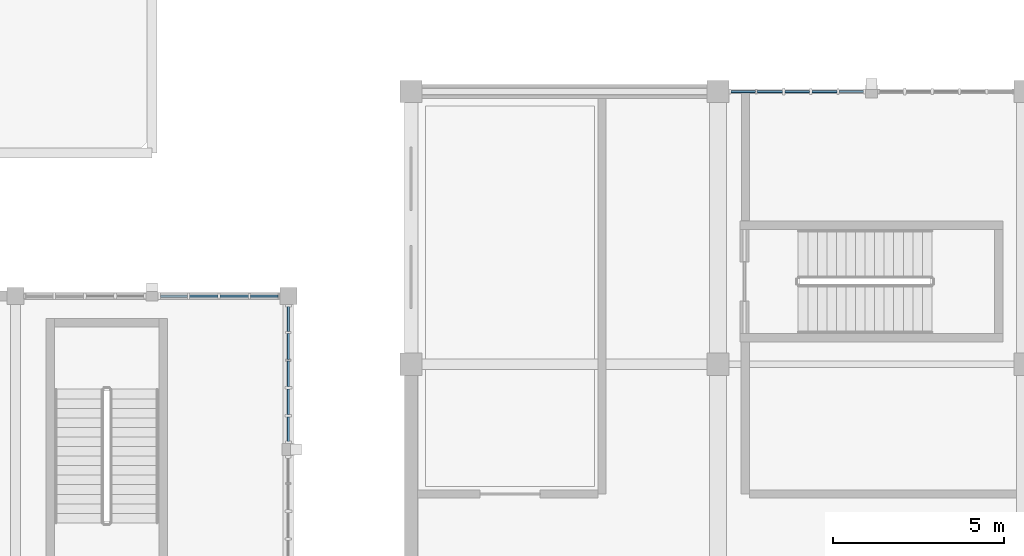
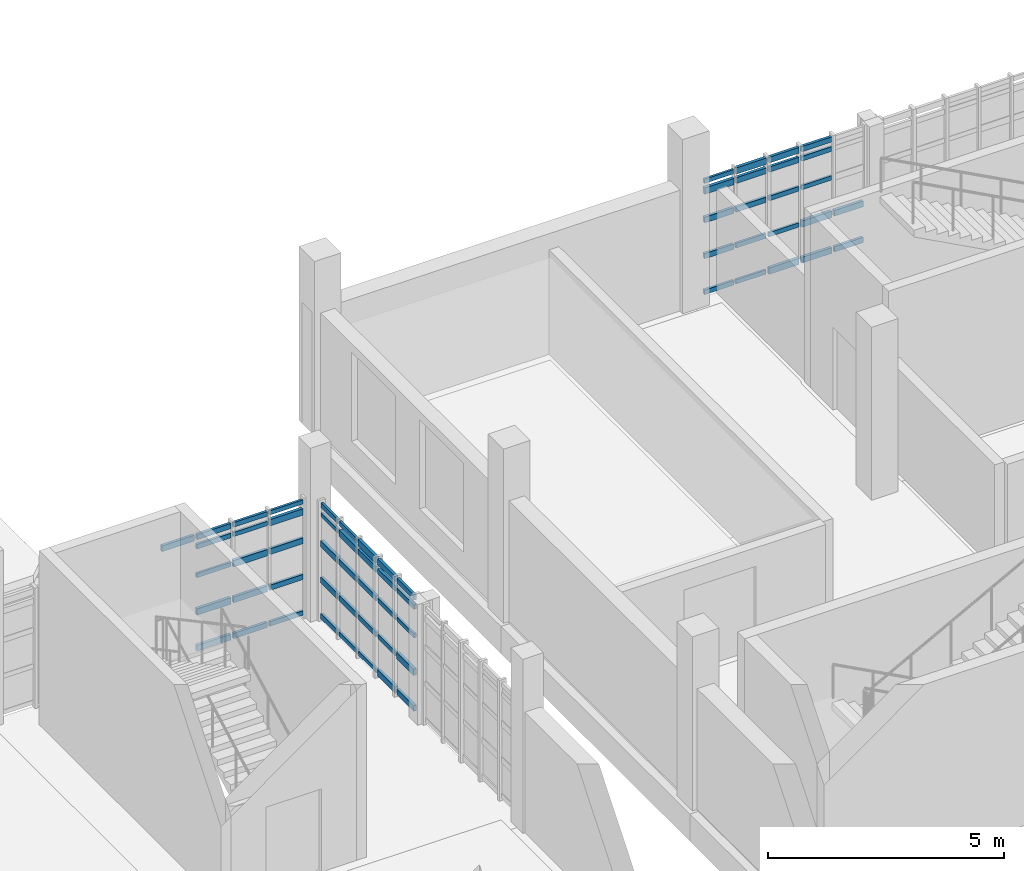
# One storey, part 58 of 125: 63 members, 3 elements without a shape of their own.
"""IFC4 building model written with IfcOpenShell, lengths in metres."""

from ifc_helpers import new_model, si_unit, direction, frame, origin, origin_2d, place, context, subcontext, project, spatial, rectangle, extrude, material, material_profile, profile_set, type_object, element, aggregate, save


model = new_model("IFC4")

# Units and contexts
model_context = context("Model", 3, precision=1e-05, world=origin(), true_north=direction((0.0, 1.0)))
body_context = subcontext(model_context, "Body", "Model", "MODEL_VIEW")
ifc_project = project(units=[si_unit("LENGTHUNIT", "METRE"), si_unit("AREAUNIT", "SQUARE_METRE"), si_unit("VOLUMEUNIT", "CUBIC_METRE"), si_unit("PLANEANGLEUNIT", "RADIAN"), si_unit("MASSUNIT", "GRAM", prefix="KILO")], contexts=[model_context])

# Site, building, storey
site_placement = place(None, origin())
site = spatial("IfcSite", under=ifc_project, at=site_placement, CompositionType="ELEMENT")
building_placement = place(site_placement, origin())
building = spatial("IfcBuilding", under=site, at=building_placement, Name="Serraforn Aerial Cableway Station", CompositionType="ELEMENT")
storey_placement = place(building_placement, frame((0.0, 0.0, 4.5)))
storey = spatial("IfcBuildingStorey", under=building, at=storey_placement, Name="L01", CompositionType="ELEMENT", Elevation=4.5)

# Curtain wall, members
ifc_material_1 = material(Name="Anodised bronze unitised curtain wall")
curtain_wall_type_1 = type_object("IfcCurtainWallType", Name="CW-SYS-15", PredefinedType="USERDEFINED", material=ifc_material_1)
curtain_wall_1_placement = place(storey_placement, origin())
curtain_wall_1 = element("IfcCurtainWall", 1, at=curtain_wall_1_placement, inside=storey, type_object=curtain_wall_type_1, Name="Unitised Curtain Wall CW-W-L01-N3A", ObjectType="UNITISED CURTAIN WALL", PredefinedType="USERDEFINED")
ifc_material_2 = material(Name="Anodised bronze extruded aluminium", Category="aluminium")
ifc_material_profile_1 = material_profile(ifc_material_2, rectangle(XDim=0.054931640625, YDim=0.110107421875, at=origin_2d()), Name="CW TRANSOM 55x110")
ifc_profile_set_1 = profile_set([ifc_material_profile_1], Name="Anodised bronze extruded aluminium")
member_type_1 = type_object("IfcMemberType", Name="CW-TRN-1", PredefinedType="USERDEFINED", material=ifc_profile_set_1)
member_1_placement = place(storey_placement, frame((23.698974609375, 36.0, 2.9951171875), z_axis=(-1.0, 0.0, 0.0), x_axis=(0.0, -1.0, 0.0)))
member_1 = element("IfcMember", 2, at=member_1_placement, type_object=member_type_1, Name="Curtain Wall Transom CW-W-L01-N3A-T1-5", ObjectType="TRANSOM", PredefinedType="USERDEFINED", context=body_context, shape_type="SweptSolid", body=[
    extrude(rectangle(XDim=0.054931640625, YDim=0.110107421875, at=origin_2d()), origin(), (0.0, 0.0, 1.0), 0.81201171875),
])
member_2_placement = place(storey_placement, frame((22.8310546875, 36.0, 2.74560546875), z_axis=(-1.0, 0.0, 0.0), x_axis=(0.0, -1.0, 0.0)))
member_2 = element("IfcMember", 3, at=member_2_placement, type_object=member_type_1, Name="Curtain Wall Transom CW-W-L01-N3A-T2-4", ObjectType="TRANSOM", PredefinedType="USERDEFINED", context=body_context, shape_type="SweptSolid", body=[
    extrude(rectangle(XDim=0.054931640625, YDim=0.110107421875, at=origin_2d()), origin(), (0.0, 0.0, 1.0), 0.83447265625),
])
member_3_placement = place(storey_placement, frame((21.935546875, 36.0, 1.996826171875), z_axis=(-1.0, 0.0, 0.0), x_axis=(0.0, -1.0, 0.0)))
member_3 = element("IfcMember", 4, at=member_3_placement, type_object=member_type_1, Name="Curtain Wall Transom CW-W-L01-N3A-T3-3", ObjectType="TRANSOM", PredefinedType="USERDEFINED", context=body_context, shape_type="SweptSolid", body=[
    extrude(rectangle(XDim=0.054931640625, YDim=0.110107421875, at=origin_2d()), origin(), (0.0, 0.0, 1.0), 0.82958984375),
])

curtain_wall_type_2 = type_object("IfcCurtainWallType", Name="CW-SYS-22", PredefinedType="USERDEFINED", material=ifc_material_1)
curtain_wall_2_placement = place(storey_placement, origin())
curtain_wall_2 = element("IfcCurtainWall", 5, at=curtain_wall_2_placement, inside=storey, type_object=curtain_wall_type_2, Name="Unitised Curtain Wall CW-W-L01-E4B", ObjectType="UNITISED CURTAIN WALL", PredefinedType="USERDEFINED")
member_4_placement = place(storey_placement, frame((24.0, 31.742919921875, 1.996826171875), z_axis=(0.0, 1.0, 0.0), x_axis=(-1.0, 0.0, 0.0)))
member_4 = element("IfcMember", 6, at=member_4_placement, type_object=member_type_1, Name="Curtain Wall Transom CW-W-L01-E4B-T1-3", ObjectType="TRANSOM", PredefinedType="USERDEFINED", context=body_context, shape_type="SweptSolid", body=[
    extrude(rectangle(XDim=0.054931640625, YDim=0.110107421875, at=origin_2d()), origin(), (0.0, 0.0, 1.0), 0.718505859375),
])
member_5_placement = place(storey_placement, frame((24.0, 32.52734375, 1.060791015625), z_axis=(0.0, 1.0, 0.0), x_axis=(-1.0, 0.0, 0.0)))
member_5 = element("IfcMember", 7, at=member_5_placement, type_object=member_type_1, Name="Curtain Wall Transom CW-W-L01-E4B-T2-2", ObjectType="TRANSOM", PredefinedType="USERDEFINED", context=body_context, shape_type="SweptSolid", body=[
    extrude(rectangle(XDim=0.054931640625, YDim=0.110107421875, at=origin_2d()), origin(), (0.0, 0.0, 1.0), 0.745849609375),
])
member_6_placement = place(storey_placement, frame((24.0, 33.34423828125, 0.124755859375), z_axis=(0.0, 1.0, 0.0), x_axis=(-1.0, 0.0, 0.0)))
member_6 = element("IfcMember", 8, at=member_6_placement, type_object=member_type_1, Name="Curtain Wall Transom CW-W-L01-E4B-T3-1", ObjectType="TRANSOM", PredefinedType="USERDEFINED", context=body_context, shape_type="SweptSolid", body=[
    extrude(rectangle(XDim=0.054931640625, YDim=0.110107421875, at=origin_2d()), origin(), (0.0, 0.0, 1.0), 0.75341796875),
])
member_7_placement = place(storey_placement, frame((24.0, 34.148681640625, 2.9951171875), z_axis=(0.0, 1.0, 0.0), x_axis=(-1.0, 0.0, 0.0)))
member_7 = element("IfcMember", 9, at=member_7_placement, type_object=member_type_1, Name="Curtain Wall Transom CW-W-L01-E4B-T4-5", ObjectType="TRANSOM", PredefinedType="USERDEFINED", context=body_context, shape_type="SweptSolid", body=[
    extrude(rectangle(XDim=0.054931640625, YDim=0.110107421875, at=origin_2d()), origin(), (0.0, 0.0, 1.0), 0.760986328125),
])
member_8_placement = place(storey_placement, frame((24.0, 34.965576171875, 2.74560546875), z_axis=(0.0, 1.0, 0.0), x_axis=(-1.0, 0.0, 0.0)))
member_8 = element("IfcMember", 10, at=member_8_placement, type_object=member_type_1, Name="Curtain Wall Transom CW-W-L01-E4B-T5-4", ObjectType="TRANSOM", PredefinedType="USERDEFINED", context=body_context, shape_type="SweptSolid", body=[
    extrude(rectangle(XDim=0.054931640625, YDim=0.110107421875, at=origin_2d()), origin(), (0.0, 0.0, 1.0), 0.723388671875),
])

curtain_wall_type_3 = type_object("IfcCurtainWallType", Name="CW-SYS-20", PredefinedType="USERDEFINED", material=ifc_material_1)
curtain_wall_3_placement = place(storey_placement, origin())
curtain_wall_3 = element("IfcCurtainWall", 11, at=curtain_wall_3_placement, inside=storey, type_object=curtain_wall_type_3, Name="Unitised Curtain Wall CW-CV-L01-N2B", ObjectType="UNITISED CURTAIN WALL", PredefinedType="USERDEFINED")
member_9_placement = place(storey_placement, frame((40.090087890625, 42.0, 1.996826171875), z_axis=(-1.0, 0.0, 0.0), x_axis=(0.0, -1.0, 0.0)))
member_9 = element("IfcMember", 12, at=member_9_placement, type_object=member_type_1, Name="Curtain Wall Transom CW-CV-L01-N2B-T2-3", ObjectType="TRANSOM", PredefinedType="USERDEFINED", context=body_context, shape_type="SweptSolid", body=[
    extrude(rectangle(XDim=0.054931640625, YDim=0.110107421875, at=origin_2d()), origin(), (0.0, 0.0, 1.0), 0.73583984375),
])
member_10_placement = place(storey_placement, frame((39.2880859375, 42.0, 1.060791015625), z_axis=(-1.0, 0.0, 0.0), x_axis=(0.0, -1.0, 0.0)))
member_10 = element("IfcMember", 13, at=member_10_placement, type_object=member_type_1, Name="Curtain Wall Transom CW-CV-L01-N2B-T3-2", ObjectType="TRANSOM", PredefinedType="USERDEFINED", context=body_context, shape_type="SweptSolid", body=[
    extrude(rectangle(XDim=0.054931640625, YDim=0.110107421875, at=origin_2d()), origin(), (0.0, 0.0, 1.0), 0.730712890625),
])
member_11_placement = place(storey_placement, frame((38.486328125, 42.0, 0.124755859375), z_axis=(-1.0, 0.0, 0.0), x_axis=(0.0, -1.0, 0.0)))
member_11 = element("IfcMember", 14, at=member_11_placement, type_object=member_type_1, Name="Curtain Wall Transom CW-CV-L01-N2B-T4-1", ObjectType="TRANSOM", PredefinedType="USERDEFINED", context=body_context, shape_type="SweptSolid", body=[
    extrude(rectangle(XDim=0.054931640625, YDim=0.110107421875, at=origin_2d()), origin(), (0.0, 0.0, 1.0), 0.738525390625),
])
member_12_placement = place(storey_placement, frame((37.697021484375, 42.0, 2.9951171875), z_axis=(-1.0, 0.0, 0.0), x_axis=(0.0, -1.0, 0.0)))
member_12 = element("IfcMember", 15, at=member_12_placement, type_object=member_type_1, Name="Curtain Wall Transom CW-CV-L01-N2B-T5-5", ObjectType="TRANSOM", PredefinedType="USERDEFINED", context=body_context, shape_type="SweptSolid", body=[
    extrude(rectangle(XDim=0.054931640625, YDim=0.110107421875, at=origin_2d()), origin(), (0.0, 0.0, 1.0), 0.716064453125),
])

# Member
ifc_material_profile_2 = material_profile(ifc_material_2, rectangle(XDim=0.06005859375, YDim=0.1201171875, at=origin_2d()), Name="CW TRANSOM 60x120")
ifc_profile_set_2 = profile_set([ifc_material_profile_2], Name="Anodised bronze extruded aluminium")
member_type_2 = type_object("IfcMemberType", Name="CW-TRN-2", PredefinedType="USERDEFINED", material=ifc_profile_set_2)
member_13_placement = place(storey_placement, frame((23.698974609375, 36.0, 0.124755859375), z_axis=(-1.0, 0.0, 0.0), x_axis=(0.0, -1.0, 0.0)))
member_13 = element("IfcMember", 16, at=member_13_placement, type_object=member_type_2, Name="Curtain Wall Transom CW-W-L01-N3A-T1-1", ObjectType="TRANSOM", PredefinedType="USERDEFINED", context=body_context, shape_type="SweptSolid", body=[
    extrude(rectangle(XDim=0.06005859375, YDim=0.1201171875, at=origin_2d()), origin(), (0.0, 0.0, 1.0), 0.81201171875),
])

member_14_placement = place(storey_placement, frame((22.8310546875, 36.0, 2.9951171875), z_axis=(-1.0, 0.0, 0.0), x_axis=(0.0, -1.0, 0.0)))
member_14 = element("IfcMember", 17, at=member_14_placement, type_object=member_type_2, Name="Curtain Wall Transom CW-W-L01-N3A-T2-5", ObjectType="TRANSOM", PredefinedType="USERDEFINED", context=body_context, shape_type="SweptSolid", body=[
    extrude(rectangle(XDim=0.06005859375, YDim=0.1201171875, at=origin_2d()), origin(), (0.0, 0.0, 1.0), 0.83447265625),
])

member_15_placement = place(storey_placement, frame((21.935546875, 36.0, 2.74560546875), z_axis=(-1.0, 0.0, 0.0), x_axis=(0.0, -1.0, 0.0)))
member_15 = element("IfcMember", 18, at=member_15_placement, type_object=member_type_2, Name="Curtain Wall Transom CW-W-L01-N3A-T3-4", ObjectType="TRANSOM", PredefinedType="USERDEFINED", context=body_context, shape_type="SweptSolid", body=[
    extrude(rectangle(XDim=0.06005859375, YDim=0.1201171875, at=origin_2d()), origin(), (0.0, 0.0, 1.0), 0.82958984375),
])

member_16_placement = place(storey_placement, frame((24.0, 31.742919921875, 2.74560546875), z_axis=(0.0, 1.0, 0.0), x_axis=(-1.0, 0.0, 0.0)))
member_16 = element("IfcMember", 19, at=member_16_placement, type_object=member_type_2, Name="Curtain Wall Transom CW-W-L01-E4B-T1-4", ObjectType="TRANSOM", PredefinedType="USERDEFINED", context=body_context, shape_type="SweptSolid", body=[
    extrude(rectangle(XDim=0.06005859375, YDim=0.1201171875, at=origin_2d()), origin(), (0.0, 0.0, 1.0), 0.718505859375),
])

member_17_placement = place(storey_placement, frame((24.0, 32.52734375, 1.996826171875), z_axis=(0.0, 1.0, 0.0), x_axis=(-1.0, 0.0, 0.0)))
member_17 = element("IfcMember", 20, at=member_17_placement, type_object=member_type_2, Name="Curtain Wall Transom CW-W-L01-E4B-T2-3", ObjectType="TRANSOM", PredefinedType="USERDEFINED", context=body_context, shape_type="SweptSolid", body=[
    extrude(rectangle(XDim=0.06005859375, YDim=0.1201171875, at=origin_2d()), origin(), (0.0, 0.0, 1.0), 0.745849609375),
])

member_18_placement = place(storey_placement, frame((24.0, 33.34423828125, 1.060791015625), z_axis=(0.0, 1.0, 0.0), x_axis=(-1.0, 0.0, 0.0)))
member_18 = element("IfcMember", 21, at=member_18_placement, type_object=member_type_2, Name="Curtain Wall Transom CW-W-L01-E4B-T3-2", ObjectType="TRANSOM", PredefinedType="USERDEFINED", context=body_context, shape_type="SweptSolid", body=[
    extrude(rectangle(XDim=0.06005859375, YDim=0.1201171875, at=origin_2d()), origin(), (0.0, 0.0, 1.0), 0.75341796875),
])

member_19_placement = place(storey_placement, frame((24.0, 34.148681640625, 0.124755859375), z_axis=(0.0, 1.0, 0.0), x_axis=(-1.0, 0.0, 0.0)))
member_19 = element("IfcMember", 22, at=member_19_placement, type_object=member_type_2, Name="Curtain Wall Transom CW-W-L01-E4B-T4-1", ObjectType="TRANSOM", PredefinedType="USERDEFINED", context=body_context, shape_type="SweptSolid", body=[
    extrude(rectangle(XDim=0.06005859375, YDim=0.1201171875, at=origin_2d()), origin(), (0.0, 0.0, 1.0), 0.760986328125),
])

member_20_placement = place(storey_placement, frame((24.0, 34.965576171875, 2.9951171875), z_axis=(0.0, 1.0, 0.0), x_axis=(-1.0, 0.0, 0.0)))
member_20 = element("IfcMember", 23, at=member_20_placement, type_object=member_type_2, Name="Curtain Wall Transom CW-W-L01-E4B-T5-5", ObjectType="TRANSOM", PredefinedType="USERDEFINED", context=body_context, shape_type="SweptSolid", body=[
    extrude(rectangle(XDim=0.06005859375, YDim=0.1201171875, at=origin_2d()), origin(), (0.0, 0.0, 1.0), 0.723388671875),
])

member_21_placement = place(storey_placement, frame((40.090087890625, 42.0, 2.74560546875), z_axis=(-1.0, 0.0, 0.0), x_axis=(0.0, -1.0, 0.0)))
member_21 = element("IfcMember", 24, at=member_21_placement, type_object=member_type_2, Name="Curtain Wall Transom CW-CV-L01-N2B-T2-4", ObjectType="TRANSOM", PredefinedType="USERDEFINED", context=body_context, shape_type="SweptSolid", body=[
    extrude(rectangle(XDim=0.06005859375, YDim=0.1201171875, at=origin_2d()), origin(), (0.0, 0.0, 1.0), 0.73583984375),
])

member_22_placement = place(storey_placement, frame((39.2880859375, 42.0, 1.996826171875), z_axis=(-1.0, 0.0, 0.0), x_axis=(0.0, -1.0, 0.0)))
member_22 = element("IfcMember", 25, at=member_22_placement, type_object=member_type_2, Name="Curtain Wall Transom CW-CV-L01-N2B-T3-3", ObjectType="TRANSOM", PredefinedType="USERDEFINED", context=body_context, shape_type="SweptSolid", body=[
    extrude(rectangle(XDim=0.06005859375, YDim=0.1201171875, at=origin_2d()), origin(), (0.0, 0.0, 1.0), 0.730712890625),
])

member_23_placement = place(storey_placement, frame((38.486328125, 42.0, 1.060791015625), z_axis=(-1.0, 0.0, 0.0), x_axis=(0.0, -1.0, 0.0)))
member_23 = element("IfcMember", 26, at=member_23_placement, type_object=member_type_2, Name="Curtain Wall Transom CW-CV-L01-N2B-T4-2", ObjectType="TRANSOM", PredefinedType="USERDEFINED", context=body_context, shape_type="SweptSolid", body=[
    extrude(rectangle(XDim=0.06005859375, YDim=0.1201171875, at=origin_2d()), origin(), (0.0, 0.0, 1.0), 0.738525390625),
])

member_24_placement = place(storey_placement, frame((37.697021484375, 42.0, 0.124755859375), z_axis=(-1.0, 0.0, 0.0), x_axis=(0.0, -1.0, 0.0)))
member_24 = element("IfcMember", 27, at=member_24_placement, type_object=member_type_2, Name="Curtain Wall Transom CW-CV-L01-N2B-T5-1", ObjectType="TRANSOM", PredefinedType="USERDEFINED", context=body_context, shape_type="SweptSolid", body=[
    extrude(rectangle(XDim=0.06005859375, YDim=0.1201171875, at=origin_2d()), origin(), (0.0, 0.0, 1.0), 0.716064453125),
])

ifc_material_profile_3 = material_profile(ifc_material_2, rectangle(XDim=0.06494140625, YDim=0.135009765625, at=origin_2d()), Name="CW TRANSOM 65x135")
ifc_profile_set_3 = profile_set([ifc_material_profile_3], Name="Anodised bronze extruded aluminium")
member_type_3 = type_object("IfcMemberType", Name="CW-TRN-3", PredefinedType="USERDEFINED", material=ifc_profile_set_3)
member_25_placement = place(storey_placement, frame((23.698974609375, 36.0, 1.060791015625), z_axis=(-1.0, 0.0, 0.0), x_axis=(0.0, -1.0, 0.0)))
member_25 = element("IfcMember", 28, at=member_25_placement, type_object=member_type_3, Name="Curtain Wall Transom CW-W-L01-N3A-T1-2", ObjectType="TRANSOM", PredefinedType="USERDEFINED", context=body_context, shape_type="SweptSolid", body=[
    extrude(rectangle(XDim=0.06494140625, YDim=0.135009765625, at=origin_2d()), origin(), (0.0, 0.0, 1.0), 0.81201171875),
])

member_26_placement = place(storey_placement, frame((22.8310546875, 36.0, 0.124755859375), z_axis=(-1.0, 0.0, 0.0), x_axis=(0.0, -1.0, 0.0)))
member_26 = element("IfcMember", 29, at=member_26_placement, type_object=member_type_3, Name="Curtain Wall Transom CW-W-L01-N3A-T2-1", ObjectType="TRANSOM", PredefinedType="USERDEFINED", context=body_context, shape_type="SweptSolid", body=[
    extrude(rectangle(XDim=0.06494140625, YDim=0.135009765625, at=origin_2d()), origin(), (0.0, 0.0, 1.0), 0.83447265625),
])

member_27_placement = place(storey_placement, frame((21.935546875, 36.0, 2.9951171875), z_axis=(-1.0, 0.0, 0.0), x_axis=(0.0, -1.0, 0.0)))
member_27 = element("IfcMember", 30, at=member_27_placement, type_object=member_type_3, Name="Curtain Wall Transom CW-W-L01-N3A-T3-5", ObjectType="TRANSOM", PredefinedType="USERDEFINED", context=body_context, shape_type="SweptSolid", body=[
    extrude(rectangle(XDim=0.06494140625, YDim=0.135009765625, at=origin_2d()), origin(), (0.0, 0.0, 1.0), 0.82958984375),
])

member_28_placement = place(storey_placement, frame((24.0, 31.742919921875, 2.9951171875), z_axis=(0.0, 1.0, 0.0), x_axis=(-1.0, 0.0, 0.0)))
member_28 = element("IfcMember", 31, at=member_28_placement, type_object=member_type_3, Name="Curtain Wall Transom CW-W-L01-E4B-T1-5", ObjectType="TRANSOM", PredefinedType="USERDEFINED", context=body_context, shape_type="SweptSolid", body=[
    extrude(rectangle(XDim=0.06494140625, YDim=0.135009765625, at=origin_2d()), origin(), (0.0, 0.0, 1.0), 0.718505859375),
])

member_29_placement = place(storey_placement, frame((24.0, 32.52734375, 2.74560546875), z_axis=(0.0, 1.0, 0.0), x_axis=(-1.0, 0.0, 0.0)))
member_29 = element("IfcMember", 32, at=member_29_placement, type_object=member_type_3, Name="Curtain Wall Transom CW-W-L01-E4B-T2-4", ObjectType="TRANSOM", PredefinedType="USERDEFINED", context=body_context, shape_type="SweptSolid", body=[
    extrude(rectangle(XDim=0.06494140625, YDim=0.135009765625, at=origin_2d()), origin(), (0.0, 0.0, 1.0), 0.745849609375),
])

member_30_placement = place(storey_placement, frame((24.0, 33.34423828125, 1.996826171875), z_axis=(0.0, 1.0, 0.0), x_axis=(-1.0, 0.0, 0.0)))
member_30 = element("IfcMember", 33, at=member_30_placement, type_object=member_type_3, Name="Curtain Wall Transom CW-W-L01-E4B-T3-3", ObjectType="TRANSOM", PredefinedType="USERDEFINED", context=body_context, shape_type="SweptSolid", body=[
    extrude(rectangle(XDim=0.06494140625, YDim=0.135009765625, at=origin_2d()), origin(), (0.0, 0.0, 1.0), 0.75341796875),
])

member_31_placement = place(storey_placement, frame((24.0, 34.148681640625, 1.060791015625), z_axis=(0.0, 1.0, 0.0), x_axis=(-1.0, 0.0, 0.0)))
member_31 = element("IfcMember", 34, at=member_31_placement, type_object=member_type_3, Name="Curtain Wall Transom CW-W-L01-E4B-T4-2", ObjectType="TRANSOM", PredefinedType="USERDEFINED", context=body_context, shape_type="SweptSolid", body=[
    extrude(rectangle(XDim=0.06494140625, YDim=0.135009765625, at=origin_2d()), origin(), (0.0, 0.0, 1.0), 0.760986328125),
])

member_32_placement = place(storey_placement, frame((24.0, 34.965576171875, 0.124755859375), z_axis=(0.0, 1.0, 0.0), x_axis=(-1.0, 0.0, 0.0)))
member_32 = element("IfcMember", 35, at=member_32_placement, type_object=member_type_3, Name="Curtain Wall Transom CW-W-L01-E4B-T5-1", ObjectType="TRANSOM", PredefinedType="USERDEFINED", context=body_context, shape_type="SweptSolid", body=[
    extrude(rectangle(XDim=0.06494140625, YDim=0.135009765625, at=origin_2d()), origin(), (0.0, 0.0, 1.0), 0.723388671875),
])

member_33_placement = place(storey_placement, frame((40.862060546875, 42.0, 0.124755859375), z_axis=(-1.0, 0.0, 0.0), x_axis=(0.0, -1.0, 0.0)))
member_33 = element("IfcMember", 36, at=member_33_placement, type_object=member_type_3, Name="Curtain Wall Transom CW-CV-L01-N2B-T1-1", ObjectType="TRANSOM", PredefinedType="USERDEFINED", context=body_context, shape_type="SweptSolid", body=[
    extrude(rectangle(XDim=0.06494140625, YDim=0.135009765625, at=origin_2d()), origin(), (0.0, 0.0, 1.0), 0.7109375),
])

member_34_placement = place(storey_placement, frame((40.090087890625, 42.0, 2.9951171875), z_axis=(-1.0, 0.0, 0.0), x_axis=(0.0, -1.0, 0.0)))
member_34 = element("IfcMember", 37, at=member_34_placement, type_object=member_type_3, Name="Curtain Wall Transom CW-CV-L01-N2B-T2-5", ObjectType="TRANSOM", PredefinedType="USERDEFINED", context=body_context, shape_type="SweptSolid", body=[
    extrude(rectangle(XDim=0.06494140625, YDim=0.135009765625, at=origin_2d()), origin(), (0.0, 0.0, 1.0), 0.73583984375),
])

member_35_placement = place(storey_placement, frame((39.2880859375, 42.0, 2.74560546875), z_axis=(-1.0, 0.0, 0.0), x_axis=(0.0, -1.0, 0.0)))
member_35 = element("IfcMember", 38, at=member_35_placement, type_object=member_type_3, Name="Curtain Wall Transom CW-CV-L01-N2B-T3-4", ObjectType="TRANSOM", PredefinedType="USERDEFINED", context=body_context, shape_type="SweptSolid", body=[
    extrude(rectangle(XDim=0.06494140625, YDim=0.135009765625, at=origin_2d()), origin(), (0.0, 0.0, 1.0), 0.730712890625),
])

member_36_placement = place(storey_placement, frame((38.486328125, 42.0, 1.996826171875), z_axis=(-1.0, 0.0, 0.0), x_axis=(0.0, -1.0, 0.0)))
member_36 = element("IfcMember", 39, at=member_36_placement, type_object=member_type_3, Name="Curtain Wall Transom CW-CV-L01-N2B-T4-3", ObjectType="TRANSOM", PredefinedType="USERDEFINED", context=body_context, shape_type="SweptSolid", body=[
    extrude(rectangle(XDim=0.06494140625, YDim=0.135009765625, at=origin_2d()), origin(), (0.0, 0.0, 1.0), 0.738525390625),
])

member_37_placement = place(storey_placement, frame((37.697021484375, 42.0, 1.060791015625), z_axis=(-1.0, 0.0, 0.0), x_axis=(0.0, -1.0, 0.0)))
member_37 = element("IfcMember", 40, at=member_37_placement, type_object=member_type_3, Name="Curtain Wall Transom CW-CV-L01-N2B-T5-2", ObjectType="TRANSOM", PredefinedType="USERDEFINED", context=body_context, shape_type="SweptSolid", body=[
    extrude(rectangle(XDim=0.06494140625, YDim=0.135009765625, at=origin_2d()), origin(), (0.0, 0.0, 1.0), 0.716064453125),
])

ifc_material_profile_4 = material_profile(ifc_material_2, rectangle(XDim=0.070068359375, YDim=0.14990234375, at=origin_2d()), Name="CW TRANSOM 70x150")
ifc_profile_set_4 = profile_set([ifc_material_profile_4], Name="Anodised bronze extruded aluminium")
member_type_4 = type_object("IfcMemberType", Name="CW-TRN-4", PredefinedType="USERDEFINED", material=ifc_profile_set_4)
member_38_placement = place(storey_placement, frame((23.698974609375, 36.0, 1.996826171875), z_axis=(-1.0, 0.0, 0.0), x_axis=(0.0, -1.0, 0.0)))
member_38 = element("IfcMember", 41, at=member_38_placement, type_object=member_type_4, Name="Curtain Wall Transom CW-W-L01-N3A-T1-3", ObjectType="TRANSOM", PredefinedType="USERDEFINED", context=body_context, shape_type="SweptSolid", body=[
    extrude(rectangle(XDim=0.070068359375, YDim=0.14990234375, at=origin_2d()), origin(), (0.0, 0.0, 1.0), 0.81201171875),
])

member_39_placement = place(storey_placement, frame((22.8310546875, 36.0, 1.060791015625), z_axis=(-1.0, 0.0, 0.0), x_axis=(0.0, -1.0, 0.0)))
member_39 = element("IfcMember", 42, at=member_39_placement, type_object=member_type_4, Name="Curtain Wall Transom CW-W-L01-N3A-T2-2", ObjectType="TRANSOM", PredefinedType="USERDEFINED", context=body_context, shape_type="SweptSolid", body=[
    extrude(rectangle(XDim=0.070068359375, YDim=0.14990234375, at=origin_2d()), origin(), (0.0, 0.0, 1.0), 0.83447265625),
])

member_40_placement = place(storey_placement, frame((21.935546875, 36.0, 0.124755859375), z_axis=(-1.0, 0.0, 0.0), x_axis=(0.0, -1.0, 0.0)))
member_40 = element("IfcMember", 43, at=member_40_placement, type_object=member_type_4, Name="Curtain Wall Transom CW-W-L01-N3A-T3-1", ObjectType="TRANSOM", PredefinedType="USERDEFINED", context=body_context, shape_type="SweptSolid", body=[
    extrude(rectangle(XDim=0.070068359375, YDim=0.14990234375, at=origin_2d()), origin(), (0.0, 0.0, 1.0), 0.82958984375),
])

member_41_placement = place(storey_placement, frame((21.0400390625, 36.0, 2.9951171875), z_axis=(-1.0, 0.0, 0.0), x_axis=(0.0, -1.0, 0.0)))
member_41 = element("IfcMember", 44, at=member_41_placement, type_object=member_type_4, Name="Curtain Wall Transom CW-W-L01-N3A-T4-5", ObjectType="TRANSOM", PredefinedType="USERDEFINED", context=body_context, shape_type="SweptSolid", body=[
    extrude(rectangle(XDim=0.070068359375, YDim=0.14990234375, at=origin_2d()), origin(), (0.0, 0.0, 1.0), 0.787109375),
])

member_42_placement = place(storey_placement, frame((24.0, 31.742919921875, 0.124755859375), z_axis=(0.0, 1.0, 0.0), x_axis=(-1.0, 0.0, 0.0)))
member_42 = element("IfcMember", 45, at=member_42_placement, type_object=member_type_4, Name="Curtain Wall Transom CW-W-L01-E4B-T1-1", ObjectType="TRANSOM", PredefinedType="USERDEFINED", context=body_context, shape_type="SweptSolid", body=[
    extrude(rectangle(XDim=0.070068359375, YDim=0.14990234375, at=origin_2d()), origin(), (0.0, 0.0, 1.0), 0.718505859375),
])

member_43_placement = place(storey_placement, frame((24.0, 32.52734375, 2.9951171875), z_axis=(0.0, 1.0, 0.0), x_axis=(-1.0, 0.0, 0.0)))
member_43 = element("IfcMember", 46, at=member_43_placement, type_object=member_type_4, Name="Curtain Wall Transom CW-W-L01-E4B-T2-5", ObjectType="TRANSOM", PredefinedType="USERDEFINED", context=body_context, shape_type="SweptSolid", body=[
    extrude(rectangle(XDim=0.070068359375, YDim=0.14990234375, at=origin_2d()), origin(), (0.0, 0.0, 1.0), 0.745849609375),
])

member_44_placement = place(storey_placement, frame((24.0, 33.34423828125, 2.74560546875), z_axis=(0.0, 1.0, 0.0), x_axis=(-1.0, 0.0, 0.0)))
member_44 = element("IfcMember", 47, at=member_44_placement, type_object=member_type_4, Name="Curtain Wall Transom CW-W-L01-E4B-T3-4", ObjectType="TRANSOM", PredefinedType="USERDEFINED", context=body_context, shape_type="SweptSolid", body=[
    extrude(rectangle(XDim=0.070068359375, YDim=0.14990234375, at=origin_2d()), origin(), (0.0, 0.0, 1.0), 0.75341796875),
])

member_45_placement = place(storey_placement, frame((24.0, 34.148681640625, 1.996826171875), z_axis=(0.0, 1.0, 0.0), x_axis=(-1.0, 0.0, 0.0)))
member_45 = element("IfcMember", 48, at=member_45_placement, type_object=member_type_4, Name="Curtain Wall Transom CW-W-L01-E4B-T4-3", ObjectType="TRANSOM", PredefinedType="USERDEFINED", context=body_context, shape_type="SweptSolid", body=[
    extrude(rectangle(XDim=0.070068359375, YDim=0.14990234375, at=origin_2d()), origin(), (0.0, 0.0, 1.0), 0.760986328125),
])

member_46_placement = place(storey_placement, frame((24.0, 34.965576171875, 1.060791015625), z_axis=(0.0, 1.0, 0.0), x_axis=(-1.0, 0.0, 0.0)))
member_46 = element("IfcMember", 49, at=member_46_placement, type_object=member_type_4, Name="Curtain Wall Transom CW-W-L01-E4B-T5-2", ObjectType="TRANSOM", PredefinedType="USERDEFINED", context=body_context, shape_type="SweptSolid", body=[
    extrude(rectangle(XDim=0.070068359375, YDim=0.14990234375, at=origin_2d()), origin(), (0.0, 0.0, 1.0), 0.723388671875),
])

member_47_placement = place(storey_placement, frame((40.862060546875, 42.0, 1.060791015625), z_axis=(-1.0, 0.0, 0.0), x_axis=(0.0, -1.0, 0.0)))
member_47 = element("IfcMember", 50, at=member_47_placement, type_object=member_type_4, Name="Curtain Wall Transom CW-CV-L01-N2B-T1-2", ObjectType="TRANSOM", PredefinedType="USERDEFINED", context=body_context, shape_type="SweptSolid", body=[
    extrude(rectangle(XDim=0.070068359375, YDim=0.14990234375, at=origin_2d()), origin(), (0.0, 0.0, 1.0), 0.7109375),
])

member_48_placement = place(storey_placement, frame((40.090087890625, 42.0, 0.124755859375), z_axis=(-1.0, 0.0, 0.0), x_axis=(0.0, -1.0, 0.0)))
member_48 = element("IfcMember", 51, at=member_48_placement, type_object=member_type_4, Name="Curtain Wall Transom CW-CV-L01-N2B-T2-1", ObjectType="TRANSOM", PredefinedType="USERDEFINED", context=body_context, shape_type="SweptSolid", body=[
    extrude(rectangle(XDim=0.070068359375, YDim=0.14990234375, at=origin_2d()), origin(), (0.0, 0.0, 1.0), 0.73583984375),
])

member_49_placement = place(storey_placement, frame((39.2880859375, 42.0, 2.9951171875), z_axis=(-1.0, 0.0, 0.0), x_axis=(0.0, -1.0, 0.0)))
member_49 = element("IfcMember", 52, at=member_49_placement, type_object=member_type_4, Name="Curtain Wall Transom CW-CV-L01-N2B-T3-5", ObjectType="TRANSOM", PredefinedType="USERDEFINED", context=body_context, shape_type="SweptSolid", body=[
    extrude(rectangle(XDim=0.070068359375, YDim=0.14990234375, at=origin_2d()), origin(), (0.0, 0.0, 1.0), 0.730712890625),
])

member_50_placement = place(storey_placement, frame((38.486328125, 42.0, 2.74560546875), z_axis=(-1.0, 0.0, 0.0), x_axis=(0.0, -1.0, 0.0)))
member_50 = element("IfcMember", 53, at=member_50_placement, type_object=member_type_4, Name="Curtain Wall Transom CW-CV-L01-N2B-T4-4", ObjectType="TRANSOM", PredefinedType="USERDEFINED", context=body_context, shape_type="SweptSolid", body=[
    extrude(rectangle(XDim=0.070068359375, YDim=0.14990234375, at=origin_2d()), origin(), (0.0, 0.0, 1.0), 0.738525390625),
])

member_51_placement = place(storey_placement, frame((37.697021484375, 42.0, 1.996826171875), z_axis=(-1.0, 0.0, 0.0), x_axis=(0.0, -1.0, 0.0)))
member_51 = element("IfcMember", 54, at=member_51_placement, type_object=member_type_4, Name="Curtain Wall Transom CW-CV-L01-N2B-T5-3", ObjectType="TRANSOM", PredefinedType="USERDEFINED", context=body_context, shape_type="SweptSolid", body=[
    extrude(rectangle(XDim=0.070068359375, YDim=0.14990234375, at=origin_2d()), origin(), (0.0, 0.0, 1.0), 0.716064453125),
])

ifc_material_profile_5 = material_profile(ifc_material_2, rectangle(XDim=0.074951171875, YDim=0.1650390625, at=origin_2d()), Name="CW TRANSOM 75x165")
ifc_profile_set_5 = profile_set([ifc_material_profile_5], Name="Anodised bronze extruded aluminium")
member_type_5 = type_object("IfcMemberType", Name="CW-TRN-5", PredefinedType="USERDEFINED", material=ifc_profile_set_5)
member_52_placement = place(storey_placement, frame((23.698974609375, 36.0, 2.74560546875), z_axis=(-1.0, 0.0, 0.0), x_axis=(0.0, -1.0, 0.0)))
member_52 = element("IfcMember", 55, at=member_52_placement, type_object=member_type_5, Name="Curtain Wall Transom CW-W-L01-N3A-T1-4", ObjectType="TRANSOM", PredefinedType="USERDEFINED", context=body_context, shape_type="SweptSolid", body=[
    extrude(rectangle(XDim=0.074951171875, YDim=0.1650390625, at=origin_2d()), origin(), (0.0, 0.0, 1.0), 0.81201171875),
])

member_53_placement = place(storey_placement, frame((22.8310546875, 36.0, 1.996826171875), z_axis=(-1.0, 0.0, 0.0), x_axis=(0.0, -1.0, 0.0)))
member_53 = element("IfcMember", 56, at=member_53_placement, type_object=member_type_5, Name="Curtain Wall Transom CW-W-L01-N3A-T2-3", ObjectType="TRANSOM", PredefinedType="USERDEFINED", context=body_context, shape_type="SweptSolid", body=[
    extrude(rectangle(XDim=0.074951171875, YDim=0.1650390625, at=origin_2d()), origin(), (0.0, 0.0, 1.0), 0.83447265625),
])

member_54_placement = place(storey_placement, frame((21.935546875, 36.0, 1.060791015625), z_axis=(-1.0, 0.0, 0.0), x_axis=(0.0, -1.0, 0.0)))
member_54 = element("IfcMember", 57, at=member_54_placement, type_object=member_type_5, Name="Curtain Wall Transom CW-W-L01-N3A-T3-2", ObjectType="TRANSOM", PredefinedType="USERDEFINED", context=body_context, shape_type="SweptSolid", body=[
    extrude(rectangle(XDim=0.074951171875, YDim=0.1650390625, at=origin_2d()), origin(), (0.0, 0.0, 1.0), 0.82958984375),
])

aggregate(curtain_wall_1, [member_13, member_25, member_38, member_52, member_1, member_26, member_39, member_53, member_2, member_14, member_40, member_54, member_3, member_15, member_27, member_41])

member_55_placement = place(storey_placement, frame((24.0, 31.742919921875, 1.060791015625), z_axis=(0.0, 1.0, 0.0), x_axis=(-1.0, 0.0, 0.0)))
member_55 = element("IfcMember", 58, at=member_55_placement, type_object=member_type_5, Name="Curtain Wall Transom CW-W-L01-E4B-T1-2", ObjectType="TRANSOM", PredefinedType="USERDEFINED", context=body_context, shape_type="SweptSolid", body=[
    extrude(rectangle(XDim=0.074951171875, YDim=0.1650390625, at=origin_2d()), origin(), (0.0, 0.0, 1.0), 0.718505859375),
])

member_56_placement = place(storey_placement, frame((24.0, 32.52734375, 0.124755859375), z_axis=(0.0, 1.0, 0.0), x_axis=(-1.0, 0.0, 0.0)))
member_56 = element("IfcMember", 59, at=member_56_placement, type_object=member_type_5, Name="Curtain Wall Transom CW-W-L01-E4B-T2-1", ObjectType="TRANSOM", PredefinedType="USERDEFINED", context=body_context, shape_type="SweptSolid", body=[
    extrude(rectangle(XDim=0.074951171875, YDim=0.1650390625, at=origin_2d()), origin(), (0.0, 0.0, 1.0), 0.745849609375),
])

member_57_placement = place(storey_placement, frame((24.0, 33.34423828125, 2.9951171875), z_axis=(0.0, 1.0, 0.0), x_axis=(-1.0, 0.0, 0.0)))
member_57 = element("IfcMember", 60, at=member_57_placement, type_object=member_type_5, Name="Curtain Wall Transom CW-W-L01-E4B-T3-5", ObjectType="TRANSOM", PredefinedType="USERDEFINED", context=body_context, shape_type="SweptSolid", body=[
    extrude(rectangle(XDim=0.074951171875, YDim=0.1650390625, at=origin_2d()), origin(), (0.0, 0.0, 1.0), 0.75341796875),
])

member_58_placement = place(storey_placement, frame((24.0, 34.148681640625, 2.74560546875), z_axis=(0.0, 1.0, 0.0), x_axis=(-1.0, 0.0, 0.0)))
member_58 = element("IfcMember", 61, at=member_58_placement, type_object=member_type_5, Name="Curtain Wall Transom CW-W-L01-E4B-T4-4", ObjectType="TRANSOM", PredefinedType="USERDEFINED", context=body_context, shape_type="SweptSolid", body=[
    extrude(rectangle(XDim=0.074951171875, YDim=0.1650390625, at=origin_2d()), origin(), (0.0, 0.0, 1.0), 0.760986328125),
])

member_59_placement = place(storey_placement, frame((24.0, 34.965576171875, 1.996826171875), z_axis=(0.0, 1.0, 0.0), x_axis=(-1.0, 0.0, 0.0)))
member_59 = element("IfcMember", 62, at=member_59_placement, type_object=member_type_5, Name="Curtain Wall Transom CW-W-L01-E4B-T5-3", ObjectType="TRANSOM", PredefinedType="USERDEFINED", context=body_context, shape_type="SweptSolid", body=[
    extrude(rectangle(XDim=0.074951171875, YDim=0.1650390625, at=origin_2d()), origin(), (0.0, 0.0, 1.0), 0.723388671875),
])

aggregate(curtain_wall_2, [member_42, member_55, member_4, member_16, member_28, member_56, member_5, member_17, member_29, member_43, member_6, member_18, member_30, member_44, member_57, member_19, member_31, member_45, member_58, member_7, member_32, member_46, member_59, member_8, member_20])

member_60_placement = place(storey_placement, frame((40.090087890625, 42.0, 1.060791015625), z_axis=(-1.0, 0.0, 0.0), x_axis=(0.0, -1.0, 0.0)))
member_60 = element("IfcMember", 63, at=member_60_placement, type_object=member_type_5, Name="Curtain Wall Transom CW-CV-L01-N2B-T2-2", ObjectType="TRANSOM", PredefinedType="USERDEFINED", context=body_context, shape_type="SweptSolid", body=[
    extrude(rectangle(XDim=0.074951171875, YDim=0.1650390625, at=origin_2d()), origin(), (0.0, 0.0, 1.0), 0.73583984375),
])

member_61_placement = place(storey_placement, frame((39.2880859375, 42.0, 0.124755859375), z_axis=(-1.0, 0.0, 0.0), x_axis=(0.0, -1.0, 0.0)))
member_61 = element("IfcMember", 64, at=member_61_placement, type_object=member_type_5, Name="Curtain Wall Transom CW-CV-L01-N2B-T3-1", ObjectType="TRANSOM", PredefinedType="USERDEFINED", context=body_context, shape_type="SweptSolid", body=[
    extrude(rectangle(XDim=0.074951171875, YDim=0.1650390625, at=origin_2d()), origin(), (0.0, 0.0, 1.0), 0.730712890625),
])

member_62_placement = place(storey_placement, frame((38.486328125, 42.0, 2.9951171875), z_axis=(-1.0, 0.0, 0.0), x_axis=(0.0, -1.0, 0.0)))
member_62 = element("IfcMember", 65, at=member_62_placement, type_object=member_type_5, Name="Curtain Wall Transom CW-CV-L01-N2B-T4-5", ObjectType="TRANSOM", PredefinedType="USERDEFINED", context=body_context, shape_type="SweptSolid", body=[
    extrude(rectangle(XDim=0.074951171875, YDim=0.1650390625, at=origin_2d()), origin(), (0.0, 0.0, 1.0), 0.738525390625),
])

member_63_placement = place(storey_placement, frame((37.697021484375, 42.0, 2.74560546875), z_axis=(-1.0, 0.0, 0.0), x_axis=(0.0, -1.0, 0.0)))
member_63 = element("IfcMember", 66, at=member_63_placement, type_object=member_type_5, Name="Curtain Wall Transom CW-CV-L01-N2B-T5-4", ObjectType="TRANSOM", PredefinedType="USERDEFINED", context=body_context, shape_type="SweptSolid", body=[
    extrude(rectangle(XDim=0.074951171875, YDim=0.1650390625, at=origin_2d()), origin(), (0.0, 0.0, 1.0), 0.716064453125),
])

aggregate(curtain_wall_3, [member_33, member_47, member_48, member_60, member_9, member_21, member_34, member_61, member_10, member_22, member_35, member_49, member_11, member_23, member_36, member_50, member_62, member_24, member_37, member_51, member_63, member_12])

save(model, "model.ifc")
